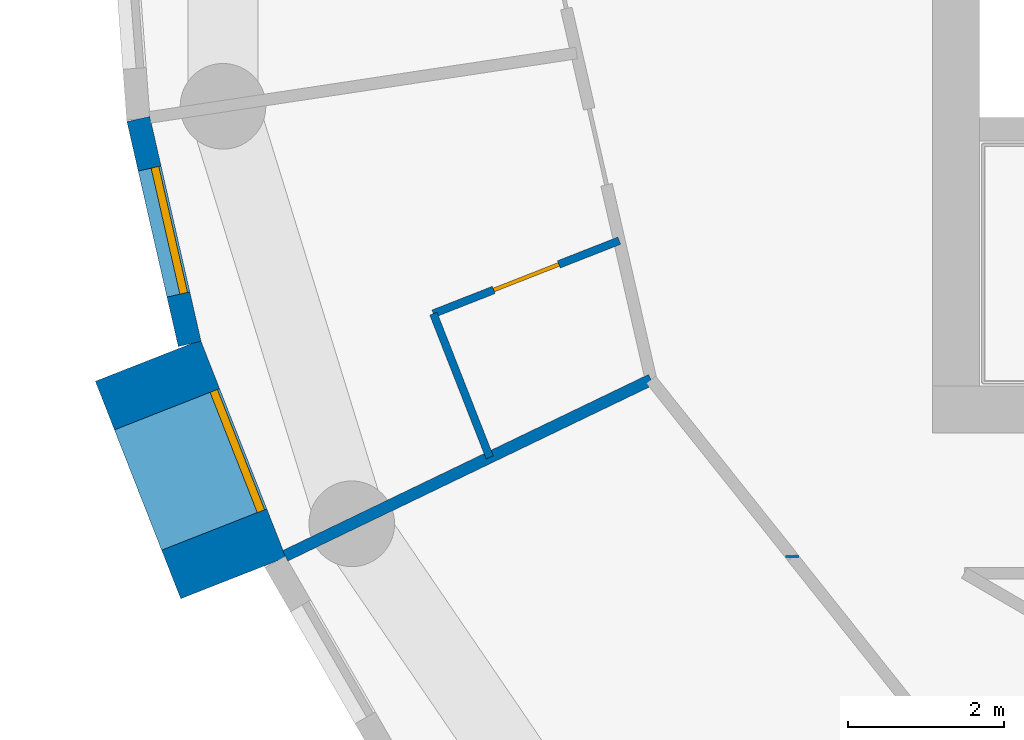
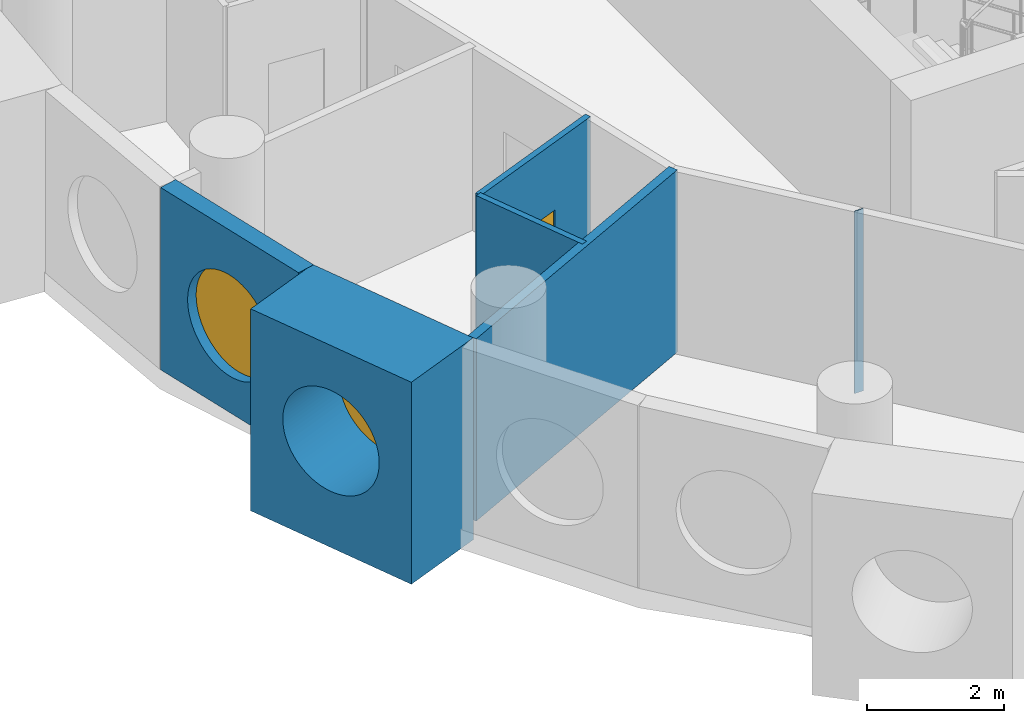
# One storey, part 2 of 12: 6 walls, 2 windows, 1 door, 3 openings.
"""IFC4 building model written with IfcOpenShell, lengths in metres."""

from ifc_helpers import new_model, si_unit, direction, frame, frame_2d, origin, origin_2d, place, context, subcontext, project, spatial, rectangle, circle, extrude, material, layer, layer_set, type_object, element, fill, save


model = new_model("IFC4")

# Units and contexts
model_context = context("Model", 3, precision=1e-05, world=origin(), true_north=direction((0.0, 1.0)))
body_context = subcontext(model_context, "Body", "Model", "MODEL_VIEW")
ifc_project = project(units=[si_unit("LENGTHUNIT", "METRE"), si_unit("AREAUNIT", "SQUARE_METRE"), si_unit("VOLUMEUNIT", "CUBIC_METRE"), si_unit("PLANEANGLEUNIT", "RADIAN"), si_unit("MASSUNIT", "GRAM", prefix="KILO")], contexts=[model_context])

# Site, building, storey
site_placement = place(None, origin())
site = spatial("IfcSite", under=ifc_project, at=site_placement, CompositionType="ELEMENT")
building_placement = place(site_placement, origin())
building = spatial("IfcBuilding", under=site, at=building_placement, Name="Tracery Tower", CompositionType="ELEMENT")
storey_placement = place(building_placement, frame((0.0, 0.0, 241.800048828125)))
storey = spatial("IfcBuildingStorey", under=building, at=storey_placement, Name="L62", CompositionType="ELEMENT", Elevation=241.800048828125)

# Wall, opening, window
ifc_material_1 = material(Name="Precast concrete C50/60", Category="concrete")
ifc_layer_1 = layer(ifc_material_1, 1.449951171875)
ifc_layer_set_1 = layer_set([ifc_layer_1], Name="Deep-set bay unit 3000 x 3600, slab edge 350")
wall_type_1 = type_object("IfcWallType", Name="Deep-set bay unit 3000 x 3600, slab edge 350", PredefinedType="ELEMENTEDWALL", material=ifc_layer_set_1)
wall_1_placement = place(storey_placement, frame((-19.576171875, -6.071533203125, -0.35009765625), z_axis=(0.0, 0.0, 1.0), x_axis=(0.36537792632, -0.93085926485, 0.0)))
wall_1 = element("IfcWall", 1, at=wall_1_placement, inside=storey, type_object=wall_type_1, Name="Deep-set bay unit 24 at L62", PredefinedType="ELEMENTEDWALL", context=body_context, shape_type="SweptSolid", body=[
    extrude(rectangle(XDim=3.000244140625, YDim=1.449951171875, at=frame_2d((1.5, 0.0))), origin(), (0.0, 0.0, 1.0), 3.60009765625),
])
opening_1_placement = place(wall_1_placement, frame((1.5, 0.0, 1.89990234375)))
opening_1 = element("IfcOpeningElement", 2, at=opening_1_placement, cuts=wall_1, Name="Opening WN1", PredefinedType="OPENING", context=body_context, shape_type="SweptSolid", body=[
    extrude(circle(Radius=0.9000244140625, at=origin_2d()), frame((0.0, 0.73486328125, 0.0), z_axis=(0.0, -1.0, 0.0), x_axis=(1.0, 0.0, 0.0)), (0.0, 0.0, 1.0), 1.469970703125),
])
ifc_material_2 = material(Name="Aluminium frame with tinted double glazing", Category="aluminium")
window_type = type_object("IfcWindowType", Name="Round window 1800", PartitioningType="SINGLE_PANEL", PredefinedType="WINDOW", material=ifc_material_2)
window_1_placement = place(opening_1_placement, origin())
window_1 = element("IfcWindow", 3, at=window_1_placement, inside=storey, type_object=window_type, Name="Round window 24 at L62", OverallHeight=1.800048828125, OverallWidth=1.800048828125, PartitioningType="SINGLE_PANEL", PredefinedType="WINDOW", context=body_context, shape_type="SweptSolid", body=[
    extrude(circle(Radius=0.9000244140625, at=origin_2d()), frame((0.0, 0.69482421875, 0.0), z_axis=(0.0, -1.0, 0.0), x_axis=(1.0, 0.0, 0.0)), (0.0, 0.0, 1.0), 0.10009765625),
])
fill(opening_1, window_1)

ifc_material_3 = material(Name="Precast concrete C50/60", Category="concrete")
ifc_layer_2 = layer(ifc_material_3, 0.300048828125)
ifc_layer_set_2 = layer_set([ifc_layer_2], Name="Facade panel 3000 x 3250")
wall_type_2 = type_object("IfcWallType", Name="Facade panel 3000 x 3250", PredefinedType="SOLIDWALL", material=ifc_layer_set_2)
wall_2_placement = place(storey_placement, frame((-19.69921875, -2.96923828125, 0.0), z_axis=(0.0, 0.0, 1.0), x_axis=(0.222529389789, -0.974925982155, 0.0)))
wall_2 = element("IfcWall", 4, at=wall_2_placement, inside=storey, type_object=wall_type_2, Name="Facade panel 23 at L62", PredefinedType="SOLIDWALL", context=body_context, shape_type="SweptSolid", body=[
    extrude(rectangle(XDim=2.962158203125, YDim=0.300048828125, at=frame_2d((1.48095703125, 0.0))), origin(), (0.0, 0.0, 1.0), 3.25),
])
opening_2_placement = place(wall_2_placement, frame((1.48095703125, 0.0, 1.5498046875)))
opening_2 = element("IfcOpeningElement", 5, at=opening_2_placement, cuts=wall_2, Name="Opening WN1", PredefinedType="OPENING", context=body_context, shape_type="SweptSolid", body=[
    extrude(circle(Radius=0.9000244140625, at=origin_2d()), frame((0.0, 0.159912109375, 0.0), z_axis=(0.0, -1.0, 0.0), x_axis=(1.0, 0.0, 0.0)), (0.0, 0.0, 1.0), 0.320068359375),
])
window_2_placement = place(opening_2_placement, origin())
window_2 = element("IfcWindow", 6, at=window_2_placement, inside=storey, type_object=window_type, Name="Round window 23 at L62", OverallHeight=1.800048828125, OverallWidth=1.800048828125, PartitioningType="SINGLE_PANEL", PredefinedType="WINDOW", context=body_context, shape_type="SweptSolid", body=[
    extrude(circle(Radius=0.9000244140625, at=origin_2d()), frame((0.0, 0.1201171875, 0.0), z_axis=(0.0, -1.0, 0.0), x_axis=(1.0, 0.0, 0.0)), (0.0, 0.0, 1.0), 0.10009765625),
])
fill(opening_2, window_2)

# Wall, opening, door
ifc_material_4 = material(Name="Plasterboard on steel studs", Category="steel")
ifc_layer_3 = layer(ifc_material_4, 0.10009765625)
ifc_layer_set_3 = layer_set([ifc_layer_3], Name="Partition 100 wet wall")
wall_type_3 = type_object("IfcWallType", Name="Partition 100 wet wall", PredefinedType="PARTITIONING", material=ifc_layer_set_3)
wall_3_placement = place(storey_placement, frame((-15.910888671875, -5.468017578125, 0.0), z_axis=(0.0, 0.0, 1.0), x_axis=(0.930898333543, 0.365278376867, 0.0)))
wall_3 = element("IfcWall", 7, at=wall_3_placement, inside=storey, type_object=wall_type_3, Name="Wet wall RC2-063", PredefinedType="PARTITIONING", context=body_context, shape_type="SweptSolid", body=[
    extrude(rectangle(XDim=2.565185546875, YDim=0.10009765625, at=frame_2d((1.28271484375, 0.0))), origin(), (0.0, 0.0, 1.0), 3.25),
])
opening_3_placement = place(wall_3_placement, frame((0.832275390625, 0.0, 0.0)))
opening_3 = element("IfcOpeningElement", 8, at=opening_3_placement, cuts=wall_3, Name="Opening RC2-16", PredefinedType="OPENING", context=body_context, shape_type="SweptSolid", body=[
    extrude(rectangle(XDim=0.89990234375, YDim=2.0400390625, at=frame_2d((0.449951171875, 1.02001953125))), frame((0.0, 0.050048828125, 0.0), z_axis=(0.0, -1.0, 0.0), x_axis=(1.0, 0.0, 0.0)), (0.0, 0.0, 1.0), 0.10009765625),
])
ifc_material_5 = material(Name="Timber door leaf", Category="wood")
door_type = type_object("IfcDoorType", Name="Door en-suite 900", OperationType="NOTDEFINED", PredefinedType="DOOR", material=ifc_material_5)
door_placement = place(opening_3_placement, origin())
door = element("IfcDoor", 9, at=door_placement, inside=storey, type_object=door_type, Name="En-suite door RC2-16", OperationType="SINGLE_SWING_RIGHT", OverallHeight=2.0400390625, OverallWidth=0.89990234375, PredefinedType="DOOR", context=body_context, shape_type="SweptSolid", body=[
    extrude(rectangle(XDim=0.89990234375, YDim=2.0400390625, at=frame_2d((0.449951171875, 1.02001953125))), frame((0.0, 0.02490234375, 0.0), z_axis=(0.0, -1.0, 0.0), x_axis=(1.0, 0.0, 0.0)), (0.0, 0.0, 1.0), 0.050048828125),
])
fill(opening_3, door)

# Walls
wall_4_placement = place(storey_placement, frame((-15.910888671875, -5.468017578125, 0.0), z_axis=(0.0, 0.0, 1.0), x_axis=(0.36507706633, -0.930977301356, 0.0)))
element("IfcWall", 10, at=wall_4_placement, inside=storey, type_object=wall_type_3, Name="Wet wall RC2-064", PredefinedType="PARTITIONING", context=body_context, shape_type="SweptSolid", body=[
    extrude(rectangle(XDim=1.98291015625, YDim=0.10009765625, at=frame_2d((0.991455078125, 0.0))), origin(), (0.0, 0.0, 1.0), 3.25),
])
ifc_material_6 = material(Name="Plasterboard on steel studs", Category="steel")
ifc_layer_4 = layer(ifc_material_6, 0.14990234375)
ifc_layer_set_4 = layer_set([ifc_layer_4], Name="Partition 150 acoustic unit wall")
wall_type_4 = type_object("IfcWallType", Name="Partition 150 acoustic unit wall", PredefinedType="PARTITIONING", material=ifc_layer_set_4)
wall_5_placement = place(storey_placement, frame((-17.81298828125, -8.577880859375, 0.0), z_axis=(0.0, 0.0, 1.0), x_axis=(0.901049790108, 0.433715662325, 0.0)))
element("IfcWall", 11, at=wall_5_placement, inside=storey, type_object=wall_type_4, Name="Unit wall RC2-065", PredefinedType="PARTITIONING", context=body_context, shape_type="SweptSolid", body=[
    extrude(rectangle(XDim=5.214111328125, YDim=0.14990234375, at=frame_2d((2.60693359375, 0.0))), origin(), (0.0, 0.0, 1.0), 3.25),
])
ifc_material_7 = material(Name="Plasterboard on steel studs", Category="steel")
ifc_layer_5 = layer(ifc_material_7, 0.14990234375)
ifc_layer_set_5 = layer_set([ifc_layer_5], Name="Partition 150 corridor wall")
wall_type_5 = type_object("IfcWallType", Name="Partition 150 corridor wall", PredefinedType="PARTITIONING", material=ifc_layer_set_5)
wall_6_placement = place(storey_placement, frame((-11.300048828125, -8.59619140625, 0.0), z_axis=(0.0, 0.0, 1.0), x_axis=(0.0, 1.0, 0.0)))
element("IfcWall", 12, at=wall_6_placement, inside=storey, type_object=wall_type_5, Name="Corridor wall RC2-016", PredefinedType="PARTITIONING", context=body_context, shape_type="SweptSolid", body=[
    extrude(rectangle(XDim=0.01025390625, YDim=0.14990234375, at=frame_2d((0.005126953125, 0.0))), origin(), (0.0, 0.0, 1.0), 3.25),
])

save(model, "model.ifc")
